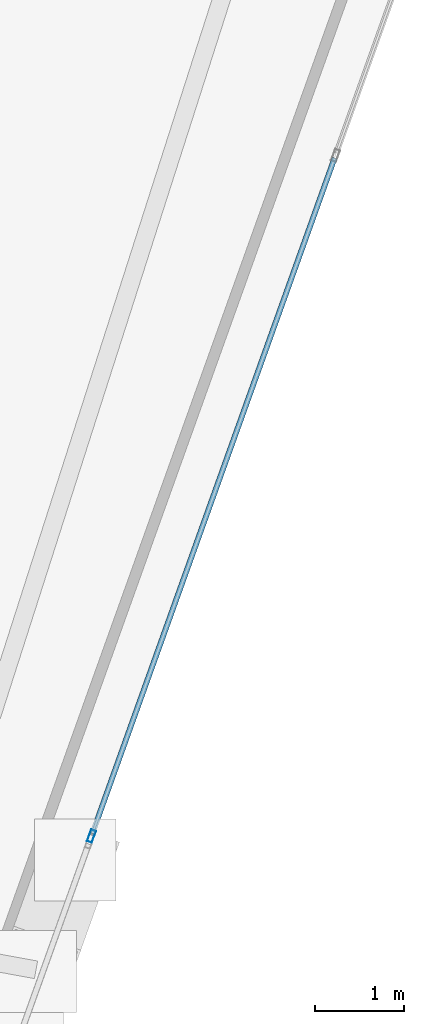
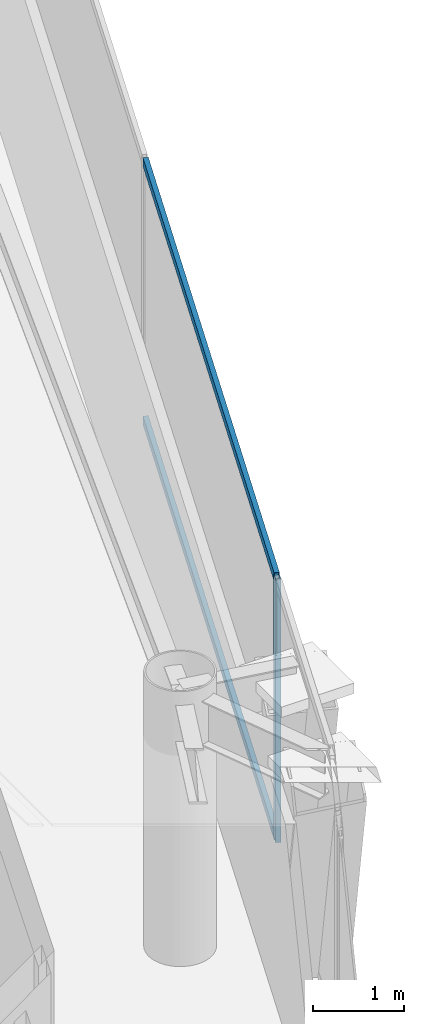
# One storey, part 11 of 19: 3 members, 1 element without a shape of its own.
"""IFC4 building model written with IfcOpenShell, lengths in metres."""

from ifc_helpers import new_model, si_unit, direction, frame, origin, origin_2d, place, context, subcontext, project, spatial, hollow_rectangle, extrude, material, layer, layer_set, material_profile, profile_set, type_object, element, aggregate, save


model = new_model("IFC4")

# Units and contexts
model_context = context("Model", 3, precision=1e-05, world=origin(), true_north=direction((0.0, 1.0)))
body_context = subcontext(model_context, "Body", "Model", "MODEL_VIEW")
ifc_project = project(units=[si_unit("LENGTHUNIT", "METRE"), si_unit("AREAUNIT", "SQUARE_METRE"), si_unit("VOLUMEUNIT", "CUBIC_METRE"), si_unit("PLANEANGLEUNIT", "RADIAN"), si_unit("MASSUNIT", "GRAM", prefix="KILO")], contexts=[model_context])

# Site, building, storey
site_placement = place(None, origin())
site = spatial("IfcSite", under=ifc_project, at=site_placement, CompositionType="ELEMENT")
building_placement = place(site_placement, origin())
building = spatial("IfcBuilding", under=site, at=building_placement, Name="Qianvela Tower", CompositionType="ELEMENT")
storey_placement = place(building_placement, frame((0.0, 0.0, 344.39990234375)))
storey = spatial("IfcBuildingStorey", under=building, at=storey_placement, Name="L89", CompositionType="ELEMENT", Elevation=344.39990234375)

# Curtain wall, members
ifc_material_1 = material(Name="Anodised Architectural Aluminium and Low-E Glass", Category="aluminium")
ifc_layer = layer(ifc_material_1, 0.14990234375)
ifc_layer_set = layer_set([ifc_layer], Name="Anodised Architectural Aluminium and Low-E Glass")
curtain_wall_type = type_object("IfcCurtainWallType", Name="CW-COLIV-Z78", PredefinedType="USERDEFINED", material=ifc_layer_set)
curtain_wall_placement = place(storey_placement, origin())
curtain_wall = element("IfcCurtainWall", 1, at=curtain_wall_placement, inside=storey, type_object=curtain_wall_type, Name="L89 CW-COLIV-Z78 Curtain Wall 06C", ObjectType="CURTAIN_WALL_SYSTEM", PredefinedType="USERDEFINED")
ifc_material_2 = material(Name="Anodised Architectural Aluminium 6063-T6", Category="aluminium")
ifc_material_profile_1 = material_profile(ifc_material_2, hollow_rectangle(XDim=0.06005859375, YDim=0.139892578125, WallThickness=0.00439453125, at=origin_2d()), Name="ALU-MULL-60x140")
ifc_profile_set_1 = profile_set([ifc_material_profile_1], Name="Anodised Architectural Aluminium 6063-T6")
member_type_1 = type_object("IfcMemberType", Name="CW-COLIV-Z78-MULL", PredefinedType="MULLION", material=ifc_profile_set_1)
member_1_placement = place(storey_placement, frame((48.0517578125, 24.949951171875, 0.0), z_axis=(0.0, 0.0, 1.0), x_axis=(-0.941311919381, 0.337537954061, 0.0)))
member_1 = element("IfcMember", 2, at=member_1_placement, type_object=member_type_1, Name="CW-6 mullion 1", PredefinedType="MULLION", context=body_context, shape_type="SweptSolid", body=[
    extrude(hollow_rectangle(XDim=0.06005859375, YDim=0.139892578125, WallThickness=0.00439453125, at=origin_2d()), origin(), (0.0, 0.0, 1.0), 3.52001953125),
])
ifc_material_3 = material(Name="Anodised Architectural Aluminium 6063-T6", Category="aluminium")
ifc_material_profile_2 = material_profile(ifc_material_3, hollow_rectangle(XDim=0.06005859375, YDim=0.114990234375, WallThickness=0.00390625, at=origin_2d()), Name="ALU-TRAN-60x115")
ifc_profile_set_2 = profile_set([ifc_material_profile_2], Name="Anodised Architectural Aluminium 6063-T6")
member_type_2 = type_object("IfcMemberType", Name="CW-COLIV-Z78-TRAN", PredefinedType="USERDEFINED", material=ifc_profile_set_2)
member_2_placement = place(storey_placement, frame((48.061767578125, 24.97802734375, 0.030029296875), z_axis=(0.33753820623, 0.941311828957, 0.0), x_axis=(-0.941311828957, 0.33753820623, 0.0)))
member_2 = element("IfcMember", 3, at=member_2_placement, type_object=member_type_2, Name="CW-6 transom 1.1", ObjectType="TRANSOM", PredefinedType="USERDEFINED", context=body_context, shape_type="SweptSolid", body=[
    extrude(hollow_rectangle(XDim=0.06005859375, YDim=0.114990234375, WallThickness=0.00390625, at=origin_2d()), origin(), (0.0, 0.0, 1.0), 8.06689453125),
])
member_3_placement = place(storey_placement, frame((48.061767578125, 24.97802734375, 3.489990234375), z_axis=(0.33753820623, 0.941311828957, 0.0), x_axis=(-0.941311828957, 0.33753820623, 0.0)))
member_3 = element("IfcMember", 4, at=member_3_placement, type_object=member_type_2, Name="CW-6 transom 1.2", ObjectType="TRANSOM", PredefinedType="USERDEFINED", context=body_context, shape_type="SweptSolid", body=[
    extrude(hollow_rectangle(XDim=0.06005859375, YDim=0.114990234375, WallThickness=0.00390625, at=origin_2d()), origin(), (0.0, 0.0, 1.0), 8.06689453125),
])
aggregate(curtain_wall, [member_1, member_2, member_3])

save(model, "model.ifc")
